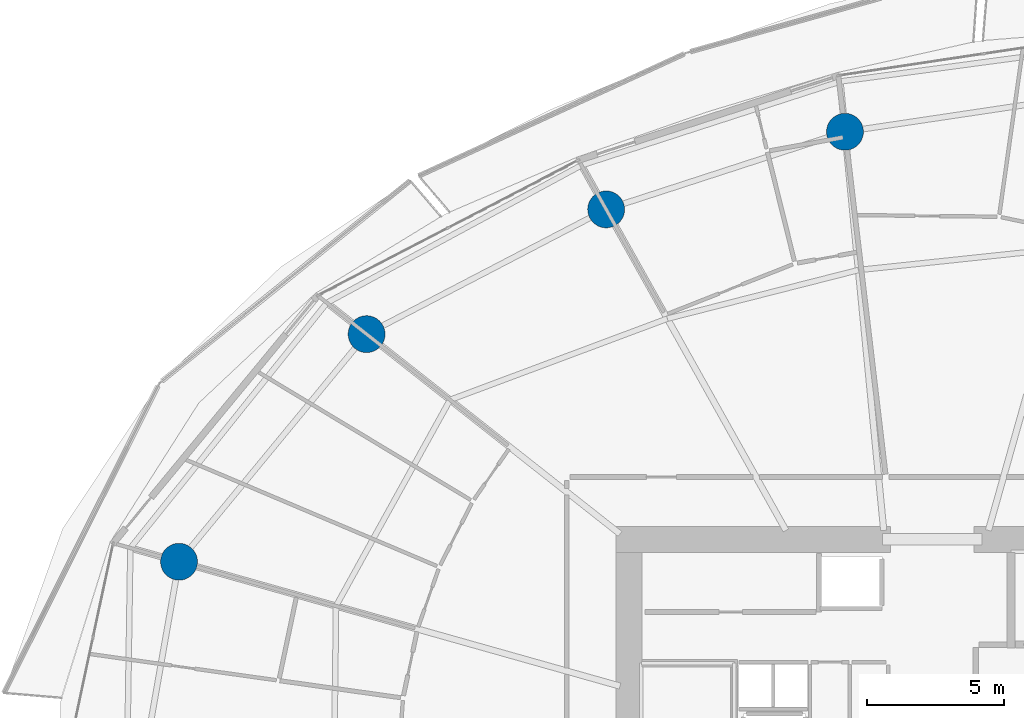
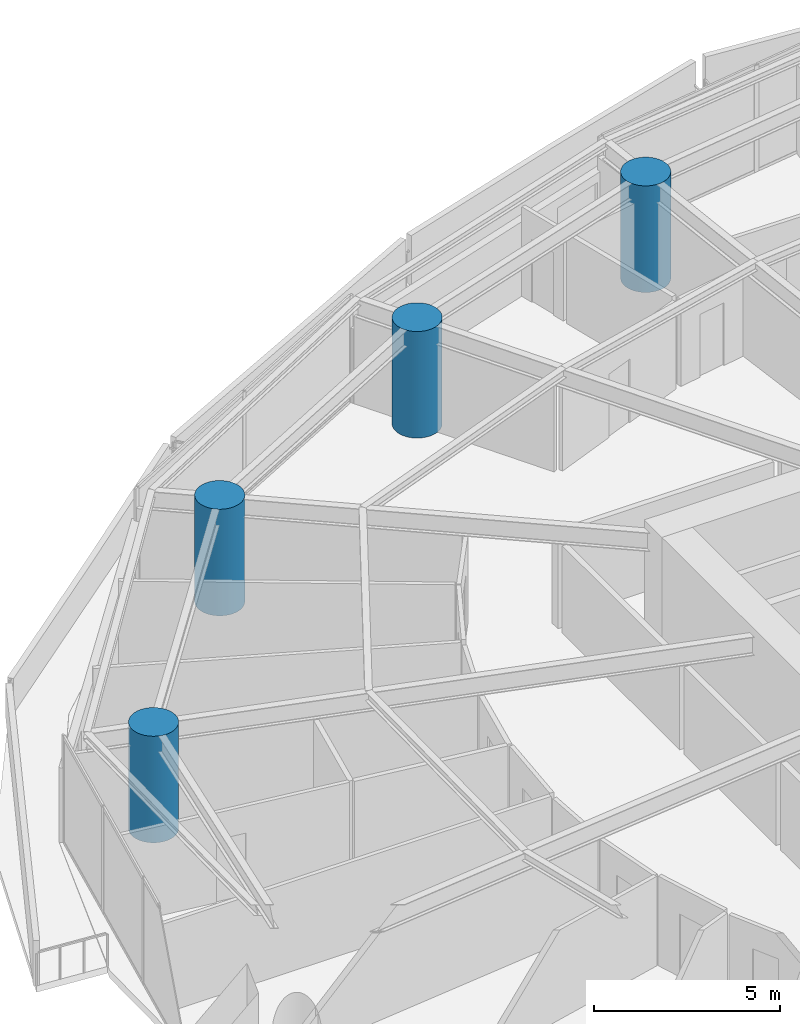
# One storey, part 4 of 32: 4 columns.
"""IFC4 building model written with IfcOpenShell, lengths in metres."""

from ifc_helpers import new_model, si_unit, direction, frame, origin, origin_2d, place, context, subcontext, project, spatial, circle, extrude, material, material_profile, profile_set, type_object, element, save


model = new_model("IFC4")

# Units and contexts
model_context = context("Model", 3, precision=1e-05, world=origin(), true_north=direction((0.0, 1.0)))
body_context = subcontext(model_context, "Body", "Model", "MODEL_VIEW")
ifc_project = project(units=[si_unit("LENGTHUNIT", "METRE"), si_unit("AREAUNIT", "SQUARE_METRE"), si_unit("VOLUMEUNIT", "CUBIC_METRE"), si_unit("PLANEANGLEUNIT", "RADIAN"), si_unit("MASSUNIT", "GRAM", prefix="KILO")], contexts=[model_context])

# Site, building, storey
site_placement = place(None, origin())
site = spatial("IfcSite", under=ifc_project, at=site_placement, CompositionType="ELEMENT")
building_placement = place(site_placement, origin())
building = spatial("IfcBuilding", under=site, at=building_placement, Name="Kazma Halo Residences", CompositionType="ELEMENT")
storey_placement = place(building_placement, frame((0.0, 0.0, 63.89990234375)))
storey = spatial("IfcBuildingStorey", under=building, at=storey_placement, Name="L15", CompositionType="ELEMENT", Elevation=63.89990234375)

# Columns
ifc_material = material(Name="Concrete C80/95", Category="concrete")
ifc_material_profile = material_profile(ifc_material, circle(Radius=0.675048828125, at=origin_2d()), Name="CIRC1350")
ifc_profile_set = profile_set([ifc_material_profile], Name="Concrete C80/95")
column_type = type_object("IfcColumnType", Name="COL-PERIM-1350", PredefinedType="COLUMN", material=ifc_profile_set)
for number, where, z_axis, x_axis, name in (
    (1, (45.231689453125, 65.389404296875, 0.0), (0.0, 0.0, 1.0), (1.0, 0.0, 0.0), "L15 perimeter ring column P04"),
    (2, (36.49169921875, 62.549560546875, 0.0), (0.0, 0.0, 1.0), (1.0, 0.0, 0.0), "L15 perimeter ring column P05"),
    (3, (27.72412109375, 57.984130859375, 0.0), (0.0, 0.0, 1.0), (1.0, 0.0, 0.0), "L15 perimeter ring column P06"),
    (4, (20.859130859375, 49.654541015625, 0.0), (0.0, 0.0, 1.0), (1.0, 0.0, 0.0), "L15 perimeter ring column P07"),
):
    element("IfcColumn", number, at=place(storey_placement, frame(where, z_axis=z_axis, x_axis=x_axis)), inside=storey, type_object=column_type, Name=name, PredefinedType="COLUMN", context=body_context, shape_type="SweptSolid", body=[
        extrude(circle(Radius=0.675048828125, at=origin_2d()), origin(), (0.0, 0.0, 1.0), 3.5),
    ])

save(model, "model.ifc")
